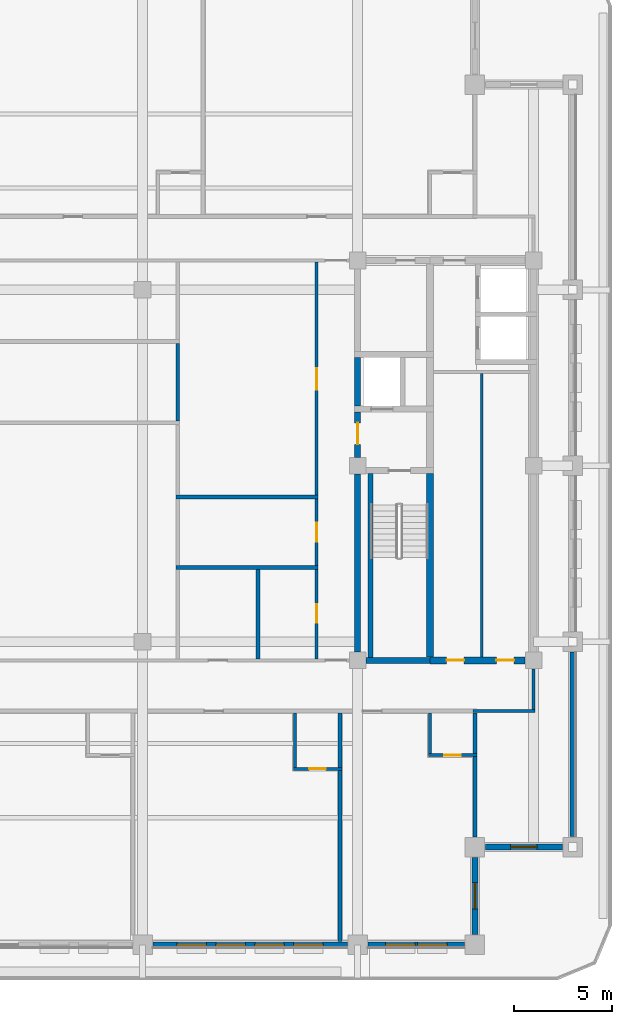
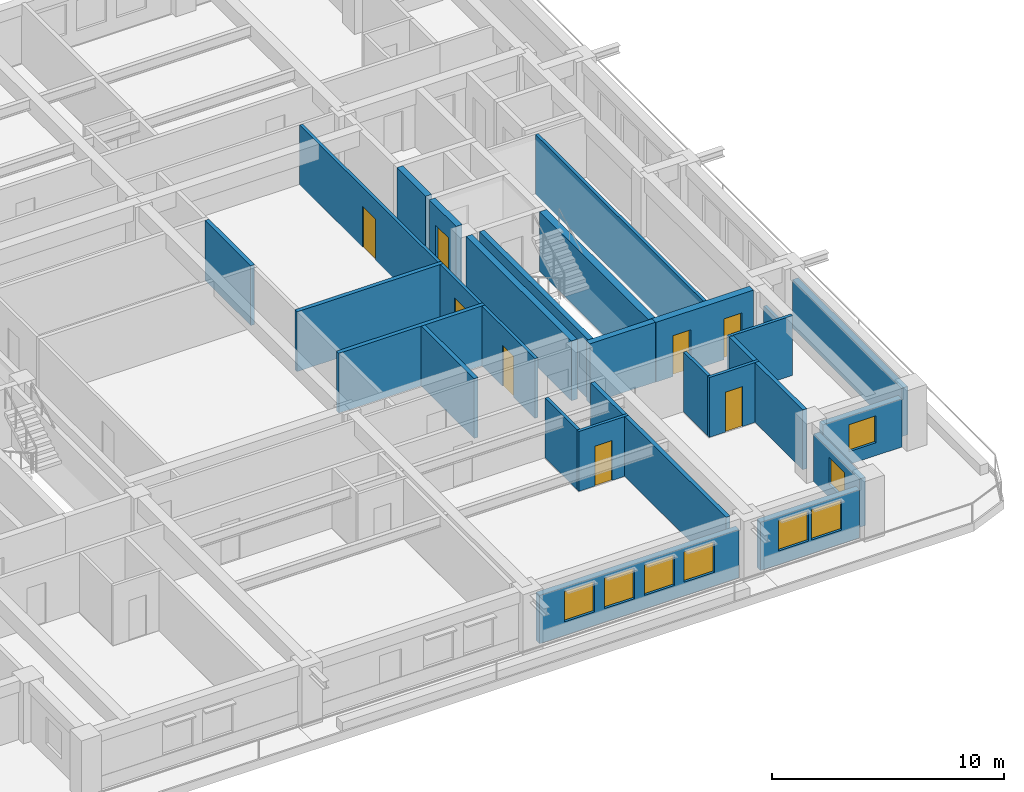
# One storey, part 4 of 14: 30 walls, 8 doors, 8 windows, 16 openings.
"""IFC4 building model written with IfcOpenShell, lengths in metres."""

from ifc_helpers import new_model, si_unit, direction, frame, frame_2d, origin, place, context, subcontext, project, spatial, rectangle, extrude, material, layer, layer_set, type_object, element, fill, save


model = new_model("IFC4")

# Units and contexts
model_context = context("Model", 3, precision=1e-05, world=origin(), true_north=direction((0.0, 1.0)))
body_context = subcontext(model_context, "Body", "Model", "MODEL_VIEW")
ifc_project = project(units=[si_unit("LENGTHUNIT", "METRE"), si_unit("AREAUNIT", "SQUARE_METRE"), si_unit("VOLUMEUNIT", "CUBIC_METRE"), si_unit("PLANEANGLEUNIT", "RADIAN"), si_unit("MASSUNIT", "GRAM", prefix="KILO")], contexts=[model_context])

# Site, building, storey
site_placement = place(None, origin())
site = spatial("IfcSite", under=ifc_project, at=site_placement, CompositionType="ELEMENT")
building_placement = place(site_placement, origin())
building = spatial("IfcBuilding", under=site, at=building_placement, Name="Zulmaris Gate Convention Tower", CompositionType="ELEMENT")
storey_placement = place(building_placement, frame((0.0, 0.0, 198.260009765625)))
storey = spatial("IfcBuildingStorey", under=building, at=storey_placement, Name="L51", CompositionType="ELEMENT", Elevation=198.260009765625)

# Walls
ifc_material_1 = material(Name="Concrete C50/60", Category="concrete")
ifc_layer_1 = layer(ifc_material_1, 0.25, Name="Concrete C50/60")
ifc_layer_set_1 = layer_set([ifc_layer_1], Name="Concrete C50/60")
wall_type_1 = type_object("IfcWallType", Name="CORE-250", PredefinedType="SOLIDWALL", material=ifc_layer_set_1)
wall_1_placement = place(storey_placement, frame((11.64990234375, -9.798095703125, 0.0), z_axis=(0.0, 0.0, 1.0), x_axis=(0.0, 1.0, 0.0)))
element("IfcWall", 1, at=wall_1_placement, inside=storey, type_object=wall_type_1, Name="WL-L51-062", PredefinedType="SOLIDWALL", context=body_context, shape_type="SweptSolid", body=[
    extrude(rectangle(XDim=9.39599609375, YDim=0.25, at=frame_2d((4.697998046875, 0.0))), origin(), (0.0, 0.0, 1.0), 3.14990234375),
])
ifc_layer_2 = layer(ifc_material_1, 0.300048828125, Name="Concrete C50/60")
ifc_layer_set_2 = layer_set([ifc_layer_2], Name="Concrete C50/60")
wall_type_2 = type_object("IfcWallType", Name="CORE-300", PredefinedType="SHEAR", material=ifc_layer_set_2)
wall_2_placement = place(storey_placement, frame((11.428955078125, -9.949951171875, 0.0), z_axis=(0.0, 0.0, 1.0), x_axis=(1.0, 0.0, 0.0)))
element("IfcWall", 2, at=wall_2_placement, inside=storey, type_object=wall_type_2, Name="WL-L51-003", PredefinedType="SHEAR", context=body_context, shape_type="SweptSolid", body=[
    extrude(rectangle(XDim=3.27099609375, YDim=0.300048828125, at=frame_2d((1.635498046875, 0.0))), origin(), (0.0, 0.0, 1.0), 3.14990234375),
])
wall_3_placement = place(storey_placement, frame((11.0, -9.52099609375, 0.0), z_axis=(0.0, 0.0, 1.0), x_axis=(0.0, 1.0, 0.0)))
element("IfcWall", 3, at=wall_3_placement, inside=storey, type_object=wall_type_2, Name="WL-L51-058", PredefinedType="SHEAR", context=body_context, shape_type="SweptSolid", body=[
    extrude(rectangle(XDim=9.092041015625, YDim=0.300048828125, at=frame_2d((4.5458984375, 0.0))), origin(), (0.0, 0.0, 1.0), 3.14990234375),
])

# Wall, opening, door
wall_4_placement = place(storey_placement, frame((11.0, 0.428955078125, 0.0), z_axis=(0.0, 0.0, 1.0), x_axis=(0.0, 1.0, 0.0)))
wall_4 = element("IfcWall", 4, at=wall_4_placement, inside=storey, type_object=wall_type_2, Name="WL-L51-059", PredefinedType="SHEAR", context=body_context, shape_type="SweptSolid", body=[
    extrude(rectangle(XDim=2.319091796875, YDim=0.300048828125, at=frame_2d((1.15966796875, 0.0))), origin(), (0.0, 0.0, 1.0), 3.14990234375),
])
opening_1_placement = place(wall_4_placement, frame((0.6708984375, 0.0, 0.0)))
opening_1 = element("IfcOpeningElement", 5, at=opening_1_placement, cuts=wall_4, Name="Opening D-08", PredefinedType="OPENING", context=body_context, shape_type="SweptSolid", body=[
    extrude(rectangle(XDim=1.10009765625, YDim=2.14990234375, at=frame_2d((0.550048828125, 1.074951171875))), frame((0.0, 0.16015625, 0.0), z_axis=(0.0, -1.0, 0.0), x_axis=(1.0, 0.0, 0.0)), (0.0, 0.0, 1.0), 0.320068359375),
])
ifc_material_2 = material(Name="Fire-Rated Steel", Category="steel")
door_type_1 = type_object("IfcDoorType", Name="DR-1100-FD", OperationType="NOTDEFINED", PredefinedType="DOOR", material=ifc_material_2)
door_1_placement = place(opening_1_placement, origin())
door_1 = element("IfcDoor", 6, at=door_1_placement, inside=storey, type_object=door_type_1, Name="L51 East Firefighting Lobby Door 05", OperationType="SINGLE_SWING_LEFT", OverallHeight=2.14990234375, OverallWidth=1.10009765625, PredefinedType="DOOR", context=body_context, shape_type="SweptSolid", body=[
    extrude(rectangle(XDim=1.10009765625, YDim=2.14990234375, at=frame_2d((0.550048828125, 1.074951171875))), frame((0.0, 0.02490234375, 0.0), z_axis=(0.0, -1.0, 0.0), x_axis=(1.0, 0.0, 0.0)), (0.0, 0.0, 1.0), 0.050048828125),
])
fill(opening_1, door_1)

# Wall
wall_5_placement = place(storey_placement, frame((11.0, 3.052001953125, 0.0), z_axis=(0.0, 0.0, 1.0), x_axis=(0.0, 1.0, 0.0)))
element("IfcWall", 7, at=wall_5_placement, inside=storey, type_object=wall_type_2, Name="WL-L51-060", PredefinedType="SHEAR", context=body_context, shape_type="SweptSolid", body=[
    extrude(rectangle(XDim=2.49609375, YDim=0.300048828125, at=frame_2d((1.248046875, 0.0))), origin(), (0.0, 0.0, 1.0), 3.14990234375),
])

# Wall, openings, doors
ifc_material_3 = material(Name="Concrete C55/67", Category="concrete")
ifc_layer_3 = layer(ifc_material_3, 0.35009765625, Name="Concrete C55/67")
ifc_layer_set_3 = layer_set([ifc_layer_3], Name="Concrete C55/67")
wall_type_3 = type_object("IfcWallType", Name="CORE-350", PredefinedType="SHEAR", material=ifc_layer_set_3)
wall_6_placement = place(storey_placement, frame((14.699951171875, -9.949951171875, 0.0), z_axis=(0.0, 0.0, 1.0), x_axis=(1.0, 0.0, 0.0)))
wall_6 = element("IfcWall", 8, at=wall_6_placement, inside=storey, type_object=wall_type_3, Name="WL-L51-004", PredefinedType="SHEAR", context=body_context, shape_type="SweptSolid", body=[
    extrude(rectangle(XDim=4.87109375, YDim=0.35009765625, at=frame_2d((2.435546875, 0.0))), origin(), (0.0, 0.0, 1.0), 3.14990234375),
])
opening_2_placement = place(wall_6_placement, frame((0.85009765625, 0.0, 0.0)))
opening_2 = element("IfcOpeningElement", 9, at=opening_2_placement, cuts=wall_6, Name="Opening D-12", PredefinedType="OPENING", context=body_context, shape_type="SweptSolid", body=[
    extrude(rectangle(XDim=0.89990234375, YDim=2.14990234375, at=frame_2d((0.449951171875, 1.074951171875))), frame((0.0, 0.18505859375, 0.0), z_axis=(0.0, -1.0, 0.0), x_axis=(1.0, 0.0, 0.0)), (0.0, 0.0, 1.0), 0.3701171875),
])
opening_3_placement = place(wall_6_placement, frame((3.39990234375, 0.0, 0.0)))
opening_3 = element("IfcOpeningElement", 10, at=opening_3_placement, cuts=wall_6, Name="Opening D-12", PredefinedType="OPENING", context=body_context, shape_type="SweptSolid", body=[
    extrude(rectangle(XDim=0.89990234375, YDim=2.14990234375, at=frame_2d((0.449951171875, 1.074951171875))), frame((0.0, 0.18505859375, 0.0), z_axis=(0.0, -1.0, 0.0), x_axis=(1.0, 0.0, 0.0)), (0.0, 0.0, 1.0), 0.3701171875),
])
ifc_material_4 = material(Name="Fire-Rated Timber", Category="wood")
door_type_2 = type_object("IfcDoorType", Name="DR-900-FD", OperationType="NOTDEFINED", PredefinedType="DOOR", material=ifc_material_4)
door_2_placement = place(opening_2_placement, origin())
door_2 = element("IfcDoor", 11, at=door_2_placement, inside=storey, type_object=door_type_2, Name="L51 Service Pantry Door 19", OperationType="SINGLE_SWING_RIGHT", OverallHeight=2.14990234375, OverallWidth=0.89990234375, PredefinedType="DOOR", context=body_context, shape_type="SweptSolid", body=[
    extrude(rectangle(XDim=0.89990234375, YDim=2.14990234375, at=frame_2d((0.449951171875, 1.074951171875))), frame((0.0, 0.02490234375, 0.0), z_axis=(0.0, -1.0, 0.0), x_axis=(1.0, 0.0, 0.0)), (0.0, 0.0, 1.0), 0.050048828125),
])
fill(opening_2, door_2)
door_3_placement = place(opening_3_placement, origin())
door_3 = element("IfcDoor", 12, at=door_3_placement, inside=storey, type_object=door_type_2, Name="L51 Linen Store Door 20", OperationType="SINGLE_SWING_LEFT", OverallHeight=2.14990234375, OverallWidth=0.89990234375, PredefinedType="DOOR", context=body_context, shape_type="SweptSolid", body=[
    extrude(rectangle(XDim=0.89990234375, YDim=2.14990234375, at=frame_2d((0.449951171875, 1.074951171875))), frame((0.0, 0.02490234375, 0.0), z_axis=(0.0, -1.0, 0.0), x_axis=(1.0, 0.0, 0.0)), (0.0, 0.0, 1.0), 0.050048828125),
])
fill(opening_3, door_3)

# Wall
wall_7_placement = place(storey_placement, frame((14.699951171875, -9.77294921875, 0.0), z_axis=(0.0, 0.0, 1.0), x_axis=(0.0, 1.0, 0.0)))
element("IfcWall", 13, at=wall_7_placement, inside=storey, type_object=wall_type_3, Name="WL-L51-064", PredefinedType="SHEAR", context=body_context, shape_type="SweptSolid", body=[
    extrude(rectangle(XDim=9.370849609375, YDim=0.35009765625, at=frame_2d((4.685546875, 0.0))), origin(), (0.0, 0.0, 1.0), 3.14990234375),
])

# Wall, opening, door
ifc_material_5 = material(Name="Gypsum Metal Stud Partition")
ifc_layer_4 = layer(ifc_material_5, 0.14990234375, Name="Gypsum Metal Stud Partition")
ifc_layer_set_4 = layer_set([ifc_layer_4], Name="Gypsum Metal Stud Partition")
wall_type_4 = type_object("IfcWallType", Name="PART-150", PredefinedType="PARTITIONING", material=ifc_layer_set_4)
wall_8_placement = place(storey_placement, frame((7.72509765625, -15.5, 0.0), z_axis=(0.0, 0.0, 1.0), x_axis=(1.0, 0.0, 0.0)))
wall_8 = element("IfcWall", 14, at=wall_8_placement, inside=storey, type_object=wall_type_4, Name="WL-L51-020", PredefinedType="PARTITIONING", context=body_context, shape_type="SweptSolid", body=[
    extrude(rectangle(XDim=2.474853515625, YDim=0.14990234375, at=frame_2d((1.2373046875, 0.0))), origin(), (0.0, 0.0, 1.0), 3.14990234375),
])
opening_4_placement = place(wall_8_placement, frame((0.800048828125, 0.0, 0.0)))
opening_4 = element("IfcOpeningElement", 15, at=opening_4_placement, cuts=wall_8, Name="Opening D-17", PredefinedType="OPENING", context=body_context, shape_type="SweptSolid", body=[
    extrude(rectangle(XDim=0.85009765625, YDim=2.10009765625, at=frame_2d((0.425048828125, 1.050048828125))), frame((0.0, 0.0849609375, 0.0), z_axis=(0.0, -1.0, 0.0), x_axis=(1.0, 0.0, 0.0)), (0.0, 0.0, 1.0), 0.169921875),
])
ifc_material_6 = material(Name="Moisture-Resistant Hardwood Timber", Category="wood")
door_type_3 = type_object("IfcDoorType", Name="DR-850", OperationType="NOTDEFINED", PredefinedType="DOOR", material=ifc_material_6)
door_4_placement = place(opening_4_placement, origin())
door_4 = element("IfcDoor", 16, at=door_4_placement, inside=storey, type_object=door_type_3, Name="L51 En-Suite Door 36", OperationType="SINGLE_SWING_LEFT", OverallHeight=2.10009765625, OverallWidth=0.85009765625, PredefinedType="DOOR", context=body_context, shape_type="SweptSolid", body=[
    extrude(rectangle(XDim=0.85009765625, YDim=2.10009765625, at=frame_2d((0.425048828125, 1.050048828125))), frame((0.0, 0.02490234375, 0.0), z_axis=(0.0, -1.0, 0.0), x_axis=(1.0, 0.0, 0.0)), (0.0, 0.0, 1.0), 0.050048828125),
])
fill(opening_4, door_4)

wall_9_placement = place(storey_placement, frame((14.625, -14.800048828125, 0.0), z_axis=(0.0, 0.0, 1.0), x_axis=(1.0, 0.0, 0.0)))
wall_9 = element("IfcWall", 17, at=wall_9_placement, inside=storey, type_object=wall_type_4, Name="WL-L51-022", PredefinedType="PARTITIONING", context=body_context, shape_type="SweptSolid", body=[
    extrude(rectangle(XDim=2.47509765625, YDim=0.14990234375, at=frame_2d((1.237548828125, 0.0))), origin(), (0.0, 0.0, 1.0), 3.14990234375),
])
opening_5_placement = place(wall_9_placement, frame((0.800048828125, 0.0, 0.0)))
opening_5 = element("IfcOpeningElement", 18, at=opening_5_placement, cuts=wall_9, Name="Opening D-17", PredefinedType="OPENING", context=body_context, shape_type="SweptSolid", body=[
    extrude(rectangle(XDim=0.85009765625, YDim=2.10009765625, at=frame_2d((0.425048828125, 1.050048828125))), frame((0.0, 0.0849609375, 0.0), z_axis=(0.0, -1.0, 0.0), x_axis=(1.0, 0.0, 0.0)), (0.0, 0.0, 1.0), 0.169921875),
])
door_5_placement = place(opening_5_placement, origin())
door_5 = element("IfcDoor", 19, at=door_5_placement, inside=storey, type_object=door_type_3, Name="L51 En-Suite Door 38", OperationType="SINGLE_SWING_LEFT", OverallHeight=2.10009765625, OverallWidth=0.85009765625, PredefinedType="DOOR", context=body_context, shape_type="SweptSolid", body=[
    extrude(rectangle(XDim=0.85009765625, YDim=2.10009765625, at=frame_2d((0.425048828125, 1.050048828125))), frame((0.0, 0.02490234375, 0.0), z_axis=(0.0, -1.0, 0.0), x_axis=(1.0, 0.0, 0.0)), (0.0, 0.0, 1.0), 0.050048828125),
])
fill(opening_5, door_5)

# Walls
wall_10_placement = place(storey_placement, frame((16.89990234375, -12.550048828125, 0.0), z_axis=(0.0, 0.0, 1.0), x_axis=(1.0, 0.0, 0.0)))
element("IfcWall", 20, at=wall_10_placement, inside=storey, type_object=wall_type_4, Name="WL-L51-024", PredefinedType="PARTITIONING", context=body_context, shape_type="SweptSolid", body=[
    extrude(rectangle(XDim=3.175048828125, YDim=0.14990234375, at=frame_2d((1.58740234375, 0.0))), origin(), (0.0, 0.0, 1.0), 3.14990234375),
])
wall_11_placement = place(storey_placement, frame((7.800048828125, -15.422119140625, 0.0), z_axis=(0.0, 0.0, 1.0), x_axis=(0.0, 1.0, 0.0)))
element("IfcWall", 21, at=wall_11_placement, inside=storey, type_object=wall_type_4, Name="WL-L51-101", PredefinedType="PARTITIONING", context=body_context, shape_type="SweptSolid", body=[
    extrude(rectangle(XDim=2.76904296875, YDim=0.14990234375, at=frame_2d((1.384521484375, 0.0))), origin(), (0.0, 0.0, 1.0), 3.14990234375),
])

# Wall, opening, door
wall_12_placement = place(storey_placement, frame((8.89990234375, -9.8720703125, 0.0), z_axis=(0.0, 0.0, 1.0), x_axis=(0.0, 1.0, 0.0)))
wall_12 = element("IfcWall", 22, at=wall_12_placement, inside=storey, type_object=wall_type_4, Name="WL-L51-102", PredefinedType="PARTITIONING", context=body_context, shape_type="SweptSolid", body=[
    extrude(rectangle(XDim=4.569091796875, YDim=0.14990234375, at=frame_2d((2.28466796875, 0.0))), origin(), (0.0, 0.0, 1.0), 3.14990234375),
])
opening_6_placement = place(wall_12_placement, frame((1.846923828125, 0.0, 0.0)))
opening_6 = element("IfcOpeningElement", 23, at=opening_6_placement, cuts=wall_12, Name="Opening D-11", PredefinedType="OPENING", context=body_context, shape_type="SweptSolid", body=[
    extrude(rectangle(XDim=0.949951171875, YDim=2.14990234375, at=frame_2d((0.47509765625, 1.074951171875))), frame((0.0, 0.0849609375, 0.0), z_axis=(0.0, -1.0, 0.0), x_axis=(1.0, 0.0, 0.0)), (0.0, 0.0, 1.0), 0.169921875),
])
door_type_4 = type_object("IfcDoorType", Name="DR-950-FD", OperationType="NOTDEFINED", PredefinedType="DOOR", material=ifc_material_4)
door_6_placement = place(opening_6_placement, origin())
door_6 = element("IfcDoor", 24, at=door_6_placement, inside=storey, type_object=door_type_4, Name="L51 Accessible WC Door 44", OperationType="SINGLE_SWING_LEFT", OverallHeight=2.14990234375, OverallWidth=0.949951171875, PredefinedType="DOOR", context=body_context, shape_type="SweptSolid", body=[
    extrude(rectangle(XDim=0.949951171875, YDim=2.14990234375, at=frame_2d((0.47509765625, 1.074951171875))), frame((0.0, 0.02490234375, 0.0), z_axis=(0.0, -1.0, 0.0), x_axis=(1.0, 0.0, 0.0)), (0.0, 0.0, 1.0), 0.050048828125),
])
fill(opening_6, door_6)

wall_13_placement = place(storey_placement, frame((8.89990234375, -5.096923828125, 0.0), z_axis=(0.0, 0.0, 1.0), x_axis=(0.0, 1.0, 0.0)))
wall_13 = element("IfcWall", 25, at=wall_13_placement, inside=storey, type_object=wall_type_4, Name="WL-L51-103", PredefinedType="PARTITIONING", context=body_context, shape_type="SweptSolid", body=[
    extrude(rectangle(XDim=3.39404296875, YDim=0.14990234375, at=frame_2d((1.697021484375, 0.0))), origin(), (0.0, 0.0, 1.0), 3.14990234375),
])
opening_7_placement = place(wall_13_placement, frame((1.221923828125, 0.0, 0.0)))
opening_7 = element("IfcOpeningElement", 26, at=opening_7_placement, cuts=wall_13, Name="Opening D-11", PredefinedType="OPENING", context=body_context, shape_type="SweptSolid", body=[
    extrude(rectangle(XDim=0.949951171875, YDim=2.14990234375, at=frame_2d((0.47509765625, 1.074951171875))), frame((0.0, 0.0849609375, 0.0), z_axis=(0.0, -1.0, 0.0), x_axis=(1.0, 0.0, 0.0)), (0.0, 0.0, 1.0), 0.169921875),
])
door_7_placement = place(opening_7_placement, origin())
door_7 = element("IfcDoor", 27, at=door_7_placement, inside=storey, type_object=door_type_4, Name="L51 Public WC Door 43", OperationType="SINGLE_SWING_RIGHT", OverallHeight=2.14990234375, OverallWidth=0.949951171875, PredefinedType="DOOR", context=body_context, shape_type="SweptSolid", body=[
    extrude(rectangle(XDim=0.949951171875, YDim=2.14990234375, at=frame_2d((0.47509765625, 1.074951171875))), frame((0.0, 0.02490234375, 0.0), z_axis=(0.0, -1.0, 0.0), x_axis=(1.0, 0.0, 0.0)), (0.0, 0.0, 1.0), 0.050048828125),
])
fill(opening_7, door_7)

wall_14_placement = place(storey_placement, frame((8.89990234375, -1.4970703125, 0.0), z_axis=(0.0, 0.0, 1.0), x_axis=(0.0, 1.0, 0.0)))
wall_14 = element("IfcWall", 28, at=wall_14_placement, inside=storey, type_object=wall_type_4, Name="WL-L51-104", PredefinedType="PARTITIONING", context=body_context, shape_type="SweptSolid", body=[
    extrude(rectangle(XDim=11.919189453125, YDim=0.14990234375, at=frame_2d((5.95947265625, 0.0))), origin(), (0.0, 0.0, 1.0), 3.14990234375),
])
opening_8_placement = place(wall_14_placement, frame((5.39697265625, 0.0, 0.0)))
opening_8 = element("IfcOpeningElement", 29, at=opening_8_placement, cuts=wall_14, Name="Opening D-08", PredefinedType="OPENING", context=body_context, shape_type="SweptSolid", body=[
    extrude(rectangle(XDim=1.10009765625, YDim=2.14990234375, at=frame_2d((0.550048828125, 1.074951171875))), frame((0.0, 0.0849609375, 0.0), z_axis=(0.0, -1.0, 0.0), x_axis=(1.0, 0.0, 0.0)), (0.0, 0.0, 1.0), 0.169921875),
])
door_8_placement = place(opening_8_placement, origin())
door_8 = element("IfcDoor", 30, at=door_8_placement, inside=storey, type_object=door_type_1, Name="L51 Breakout Room Door 42", OperationType="SINGLE_SWING_LEFT", OverallHeight=2.14990234375, OverallWidth=1.10009765625, PredefinedType="DOOR", context=body_context, shape_type="SweptSolid", body=[
    extrude(rectangle(XDim=1.10009765625, YDim=2.14990234375, at=frame_2d((0.550048828125, 1.074951171875))), frame((0.0, 0.02490234375, 0.0), z_axis=(0.0, -1.0, 0.0), x_axis=(1.0, 0.0, 0.0)), (0.0, 0.0, 1.0), 0.050048828125),
])
fill(opening_8, door_8)

# Walls
wall_15_placement = place(storey_placement, frame((14.699951171875, -14.721923828125, 0.0), z_axis=(0.0, 0.0, 1.0), x_axis=(0.0, 1.0, 0.0)))
element("IfcWall", 31, at=wall_15_placement, inside=storey, type_object=wall_type_4, Name="WL-L51-107", PredefinedType="PARTITIONING", context=body_context, shape_type="SweptSolid", body=[
    extrude(rectangle(XDim=2.06884765625, YDim=0.14990234375, at=frame_2d((1.034423828125, 0.0))), origin(), (0.0, 0.0, 1.0), 3.14990234375),
])
wall_16_placement = place(storey_placement, frame((17.35009765625, -9.77197265625, 0.0), z_axis=(0.0, 0.0, 1.0), x_axis=(0.0, 1.0, 0.0)))
element("IfcWall", 32, at=wall_16_placement, inside=storey, type_object=wall_type_4, Name="WL-L51-113", PredefinedType="PARTITIONING", context=body_context, shape_type="SweptSolid", body=[
    extrude(rectangle(XDim=14.493896484375, YDim=0.14990234375, at=frame_2d((7.2470703125, 0.0))), origin(), (0.0, 0.0, 1.0), 3.14990234375),
])
wall_17_placement = place(storey_placement, frame((20.0, -12.471923828125, 0.0), z_axis=(0.0, 0.0, 1.0), x_axis=(0.0, 1.0, 0.0)))
element("IfcWall", 33, at=wall_17_placement, inside=storey, type_object=wall_type_4, Name="WL-L51-114", PredefinedType="PARTITIONING", context=body_context, shape_type="SweptSolid", body=[
    extrude(rectangle(XDim=2.0908203125, YDim=0.14990234375, at=frame_2d((1.04541015625, 0.0))), origin(), (0.0, 0.0, 1.0), 2.341796875),
])
ifc_material_7 = material(Name="Autoclaved Aerated Concrete Block and Plasterboard", Category="concrete")
ifc_layer_5 = layer(ifc_material_7, 0.199951171875, Name="Autoclaved Aerated Concrete Block and Plasterboard")
ifc_layer_set_5 = layer_set([ifc_layer_5], Name="Autoclaved Aerated Concrete Block and Plasterboard")
wall_type_5 = type_object("IfcWallType", Name="PART-200", PredefinedType="PARTITIONING", material=ifc_layer_set_5)
for number, where, z_axis, x_axis, name in (
    (34, (1.699951171875, -5.199951171875, 0.0), (0.0, 0.0, 1.0), (1.0, 0.0, 0.0), "WL-L51-027"),
    (35, (1.699951171875, -1.60009765625, 0.0), (0.0, 0.0, 1.0), (1.0, 0.0, 0.0), "WL-L51-028"),
):
    element("IfcWall", number, at=place(storey_placement, frame(where, z_axis=z_axis, x_axis=x_axis)), inside=storey, type_object=wall_type_5, Name=name, PredefinedType="PARTITIONING", context=body_context, shape_type="SweptSolid", body=[
        extrude(rectangle(XDim=7.275146484375, YDim=0.199951171875, at=frame_2d((3.6376953125, 0.0))), origin(), (0.0, 0.0, 1.0), 3.14990234375),
    ])
wall_18_placement = place(storey_placement, frame((1.800048828125, 2.302978515625, 0.0), z_axis=(0.0, 0.0, 1.0), x_axis=(0.0, 1.0, 0.0)))
element("IfcWall", 36, at=wall_18_placement, inside=storey, type_object=wall_type_5, Name="WL-L51-096", PredefinedType="PARTITIONING", context=body_context, shape_type="SweptSolid", body=[
    extrude(rectangle(XDim=3.944091796875, YDim=0.199951171875, at=frame_2d((1.97216796875, 0.0))), origin(), (0.0, 0.0, 1.0), 3.14990234375),
])
wall_19_placement = place(storey_placement, frame((5.89990234375, -9.8720703125, 0.0), z_axis=(0.0, 0.0, 1.0), x_axis=(0.0, 1.0, 0.0)))
element("IfcWall", 37, at=wall_19_placement, inside=storey, type_object=wall_type_5, Name="WL-L51-100", PredefinedType="PARTITIONING", context=body_context, shape_type="SweptSolid", body=[
    extrude(rectangle(XDim=4.569091796875, YDim=0.199951171875, at=frame_2d((2.28466796875, 0.0))), origin(), (0.0, 0.0, 1.0), 3.14990234375),
])
wall_20_placement = place(storey_placement, frame((10.10009765625, -24.3349609375, 0.0), z_axis=(0.0, 0.0, 1.0), x_axis=(0.0, 1.0, 0.0)))
element("IfcWall", 38, at=wall_20_placement, inside=storey, type_object=wall_type_5, Name="WL-L51-105", PredefinedType="PARTITIONING", context=body_context, shape_type="SweptSolid", body=[
    extrude(rectangle(XDim=8.757080078125, YDim=0.199951171875, at=frame_2d((4.37841796875, 0.0))), origin(), (0.0, 0.0, 1.0), 3.14990234375),
])
wall_21_placement = place(storey_placement, frame((10.10009765625, -15.422119140625, 0.0), z_axis=(0.0, 0.0, 1.0), x_axis=(0.0, 1.0, 0.0)))
element("IfcWall", 39, at=wall_21_placement, inside=storey, type_object=wall_type_5, Name="WL-L51-106", PredefinedType="PARTITIONING", context=body_context, shape_type="SweptSolid", body=[
    extrude(rectangle(XDim=2.76904296875, YDim=0.199951171875, at=frame_2d((1.384521484375, 0.0))), origin(), (0.0, 0.0, 1.0), 3.14990234375),
])
wall_22_placement = place(storey_placement, frame((17.0, -18.993896484375, 0.0), z_axis=(0.0, 0.0, 1.0), x_axis=(0.0, 1.0, 0.0)))
element("IfcWall", 40, at=wall_22_placement, inside=storey, type_object=wall_type_5, Name="WL-L51-109", PredefinedType="PARTITIONING", context=body_context, shape_type="SweptSolid", body=[
    extrude(rectangle(XDim=4.115966796875, YDim=0.199951171875, at=frame_2d((2.05810546875, 0.0))), origin(), (0.0, 0.0, 1.0), 3.14990234375),
])
wall_23_placement = place(storey_placement, frame((17.0, -14.721923828125, 0.0), z_axis=(0.0, 0.0, 1.0), x_axis=(0.0, 1.0, 0.0)))
element("IfcWall", 41, at=wall_23_placement, inside=storey, type_object=wall_type_5, Name="WL-L51-110", PredefinedType="PARTITIONING", context=body_context, shape_type="SweptSolid", body=[
    extrude(rectangle(XDim=2.06884765625, YDim=0.199951171875, at=frame_2d((1.034423828125, 0.0))), origin(), (0.0, 0.0, 1.0), 3.14990234375),
])

# Wall, opening, window
ifc_material_8 = material(Name="Precast concrete C40/50", Category="concrete")
ifc_layer_6 = layer(ifc_material_8, 0.300048828125, Name="Precast concrete C40/50")
ifc_layer_set_6 = layer_set([ifc_layer_6], Name="Precast concrete C40/50")
wall_type_6 = type_object("IfcWallType", Name="PRECAST-PIER-300", PredefinedType="STANDARD", material=ifc_layer_set_6)
wall_24_placement = place(storey_placement, frame((17.0, -23.969970703125, 0.0), z_axis=(0.0, 0.0, 1.0), x_axis=(0.0, 1.0, 0.0)))
wall_24 = element("IfcWall", 42, at=wall_24_placement, inside=storey, type_object=wall_type_6, Name="EW-L51-NOTCH-SE1_0", PredefinedType="STANDARD", context=body_context, shape_type="SweptSolid", body=[
    extrude(rectangle(XDim=3.93994140625, YDim=0.300048828125, at=frame_2d((1.969970703125, 0.0))), origin(), (0.0, 0.0, 1.0), 2.5419921875),
])
opening_9_placement = place(wall_24_placement, frame((1.294921875, 0.0, 0.679931640625)))
opening_9 = element("IfcOpeningElement", 43, at=opening_9_placement, cuts=wall_24, Name="Opening W-10", PredefinedType="OPENING", context=body_context, shape_type="SweptSolid", body=[
    extrude(rectangle(XDim=1.35009765625, YDim=1.419921875, at=frame_2d((0.675048828125, 0.7099609375))), frame((0.0, 0.16015625, 0.0), z_axis=(0.0, -1.0, 0.0), x_axis=(1.0, 0.0, 0.0)), (0.0, 0.0, 1.0), 0.320068359375),
])
ifc_material_9 = material(Name="Low-E Laminated Double Glazing in Aluminium Frame", Category="aluminium")
window_type_1 = type_object("IfcWindowType", Name="WIN-1350x2000", PartitioningType="SINGLE_PANEL", PredefinedType="WINDOW", material=ifc_material_9)
window_1_placement = place(opening_9_placement, origin())
window_1 = element("IfcWindow", 44, at=window_1_placement, inside=storey, type_object=window_type_1, Name="WN-EW-L51-NOTCH-SE1_0", OverallHeight=1.419921875, OverallWidth=1.35009765625, PartitioningType="SINGLE_PANEL", PredefinedType="WINDOW", context=body_context, shape_type="SweptSolid", body=[
    extrude(rectangle(XDim=1.35009765625, YDim=1.419921875, at=frame_2d((0.675048828125, 0.7099609375))), frame((0.0, 0.030029296875, 0.0), z_axis=(0.0, -1.0, 0.0), x_axis=(1.0, 0.0, 0.0)), (0.0, 0.0, 1.0), 0.06005859375),
])
fill(opening_9, window_1)

wall_25_placement = place(storey_placement, frame((17.530029296875, -19.5, 0.0), z_axis=(0.0, 0.0, 1.0), x_axis=(1.0, 0.0, 0.0)))
wall_25 = element("IfcWall", 45, at=wall_25_placement, inside=storey, type_object=wall_type_6, Name="EW-L51-NOTCH-SE2_0", PredefinedType="STANDARD", context=body_context, shape_type="SweptSolid", body=[
    extrude(rectangle(XDim=3.93994140625, YDim=0.300048828125, at=frame_2d((1.969970703125, 0.0))), origin(), (0.0, 0.0, 1.0), 2.5419921875),
])
opening_10_placement = place(wall_25_placement, frame((1.294921875, 0.0, 0.679931640625)))
opening_10 = element("IfcOpeningElement", 46, at=opening_10_placement, cuts=wall_25, Name="Opening W-10", PredefinedType="OPENING", context=body_context, shape_type="SweptSolid", body=[
    extrude(rectangle(XDim=1.35009765625, YDim=1.419921875, at=frame_2d((0.675048828125, 0.7099609375))), frame((0.0, 0.16015625, 0.0), z_axis=(0.0, -1.0, 0.0), x_axis=(1.0, 0.0, 0.0)), (0.0, 0.0, 1.0), 0.320068359375),
])
window_2_placement = place(opening_10_placement, origin())
window_2 = element("IfcWindow", 47, at=window_2_placement, inside=storey, type_object=window_type_1, Name="WN-EW-L51-NOTCH-SE2_0", OverallHeight=1.419921875, OverallWidth=1.35009765625, PartitioningType="SINGLE_PANEL", PredefinedType="WINDOW", context=body_context, shape_type="SweptSolid", body=[
    extrude(rectangle(XDim=1.35009765625, YDim=1.419921875, at=frame_2d((0.675048828125, 0.7099609375))), frame((0.0, 0.030029296875, 0.0), z_axis=(0.0, -1.0, 0.0), x_axis=(1.0, 0.0, 0.0)), (0.0, 0.0, 1.0), 0.06005859375),
])
fill(opening_10, window_2)

# Wall, openings, windows
wall_26_placement = place(storey_placement, frame((0.530029296875, -24.5, 0.0), z_axis=(0.0, 0.0, 1.0), x_axis=(1.0, 0.0, 0.0)))
wall_26 = element("IfcWall", 48, at=wall_26_placement, inside=storey, type_object=wall_type_6, Name="EW-L51-S-2_0", PredefinedType="STANDARD", context=body_context, shape_type="SweptSolid", body=[
    extrude(rectangle(XDim=9.93994140625, YDim=0.300048828125, at=frame_2d((4.969970703125, 0.0))), origin(), (0.0, 0.0, 1.0), 2.5419921875),
])
opening_11_placement = place(wall_26_placement, frame((1.238037109375, 0.0, 0.719970703125)))
opening_11 = element("IfcOpeningElement", 49, at=opening_11_placement, cuts=wall_26, Name="Opening W-03", PredefinedType="OPENING", context=body_context, shape_type="SweptSolid", body=[
    extrude(rectangle(XDim=1.5, YDim=1.60009765625, at=frame_2d((0.75, 0.800048828125))), frame((0.0, 0.16015625, 0.0), z_axis=(0.0, -1.0, 0.0), x_axis=(1.0, 0.0, 0.0)), (0.0, 0.0, 1.0), 0.320068359375),
])
opening_12_placement = place(wall_26_placement, frame((3.22607421875, 0.0, 0.719970703125)))
opening_12 = element("IfcOpeningElement", 50, at=opening_12_placement, cuts=wall_26, Name="Opening W-03", PredefinedType="OPENING", context=body_context, shape_type="SweptSolid", body=[
    extrude(rectangle(XDim=1.5, YDim=1.60009765625, at=frame_2d((0.75, 0.800048828125))), frame((0.0, 0.16015625, 0.0), z_axis=(0.0, -1.0, 0.0), x_axis=(1.0, 0.0, 0.0)), (0.0, 0.0, 1.0), 0.320068359375),
])
opening_13_placement = place(wall_26_placement, frame((5.214111328125, 0.0, 0.719970703125)))
opening_13 = element("IfcOpeningElement", 51, at=opening_13_placement, cuts=wall_26, Name="Opening W-03", PredefinedType="OPENING", context=body_context, shape_type="SweptSolid", body=[
    extrude(rectangle(XDim=1.5, YDim=1.60009765625, at=frame_2d((0.75, 0.800048828125))), frame((0.0, 0.16015625, 0.0), z_axis=(0.0, -1.0, 0.0), x_axis=(1.0, 0.0, 0.0)), (0.0, 0.0, 1.0), 0.320068359375),
])
opening_14_placement = place(wall_26_placement, frame((7.201904296875, 0.0, 0.719970703125)))
opening_14 = element("IfcOpeningElement", 52, at=opening_14_placement, cuts=wall_26, Name="Opening W-03", PredefinedType="OPENING", context=body_context, shape_type="SweptSolid", body=[
    extrude(rectangle(XDim=1.5, YDim=1.60009765625, at=frame_2d((0.75, 0.800048828125))), frame((0.0, 0.16015625, 0.0), z_axis=(0.0, -1.0, 0.0), x_axis=(1.0, 0.0, 0.0)), (0.0, 0.0, 1.0), 0.320068359375),
])
window_type_2 = type_object("IfcWindowType", Name="WIN-1500x2100", PartitioningType="SINGLE_PANEL", PredefinedType="WINDOW", material=ifc_material_9)
window_3_placement = place(opening_11_placement, origin())
window_3 = element("IfcWindow", 53, at=window_3_placement, inside=storey, type_object=window_type_2, Name="WN-EW-L51-S-2_0-1", OverallHeight=1.60009765625, OverallWidth=1.5, PartitioningType="SINGLE_PANEL", PredefinedType="WINDOW", context=body_context, shape_type="SweptSolid", body=[
    extrude(rectangle(XDim=1.5, YDim=1.60009765625, at=frame_2d((0.75, 0.800048828125))), frame((0.0, 0.030029296875, 0.0), z_axis=(0.0, -1.0, 0.0), x_axis=(1.0, 0.0, 0.0)), (0.0, 0.0, 1.0), 0.06005859375),
])
fill(opening_11, window_3)
window_4_placement = place(opening_12_placement, origin())
window_4 = element("IfcWindow", 54, at=window_4_placement, inside=storey, type_object=window_type_2, Name="WN-EW-L51-S-2_0-2", OverallHeight=1.60009765625, OverallWidth=1.5, PartitioningType="SINGLE_PANEL", PredefinedType="WINDOW", context=body_context, shape_type="SweptSolid", body=[
    extrude(rectangle(XDim=1.5, YDim=1.60009765625, at=frame_2d((0.75, 0.800048828125))), frame((0.0, 0.030029296875, 0.0), z_axis=(0.0, -1.0, 0.0), x_axis=(1.0, 0.0, 0.0)), (0.0, 0.0, 1.0), 0.06005859375),
])
fill(opening_12, window_4)
window_5_placement = place(opening_13_placement, origin())
window_5 = element("IfcWindow", 55, at=window_5_placement, inside=storey, type_object=window_type_2, Name="WN-EW-L51-S-2_0-3", OverallHeight=1.60009765625, OverallWidth=1.5, PartitioningType="SINGLE_PANEL", PredefinedType="WINDOW", context=body_context, shape_type="SweptSolid", body=[
    extrude(rectangle(XDim=1.5, YDim=1.60009765625, at=frame_2d((0.75, 0.800048828125))), frame((0.0, 0.030029296875, 0.0), z_axis=(0.0, -1.0, 0.0), x_axis=(1.0, 0.0, 0.0)), (0.0, 0.0, 1.0), 0.06005859375),
])
fill(opening_13, window_5)
window_6_placement = place(opening_14_placement, origin())
window_6 = element("IfcWindow", 56, at=window_6_placement, inside=storey, type_object=window_type_2, Name="WN-EW-L51-S-2_0-4", OverallHeight=1.60009765625, OverallWidth=1.5, PartitioningType="SINGLE_PANEL", PredefinedType="WINDOW", context=body_context, shape_type="SweptSolid", body=[
    extrude(rectangle(XDim=1.5, YDim=1.60009765625, at=frame_2d((0.75, 0.800048828125))), frame((0.0, 0.030029296875, 0.0), z_axis=(0.0, -1.0, 0.0), x_axis=(1.0, 0.0, 0.0)), (0.0, 0.0, 1.0), 0.06005859375),
])
fill(opening_14, window_6)

wall_27_placement = place(storey_placement, frame((11.530029296875, -24.5, 0.0), z_axis=(0.0, 0.0, 1.0), x_axis=(1.0, 0.0, 0.0)))
wall_27 = element("IfcWall", 57, at=wall_27_placement, inside=storey, type_object=wall_type_6, Name="EW-L51-S-3_0", PredefinedType="STANDARD", context=body_context, shape_type="SweptSolid", body=[
    extrude(rectangle(XDim=4.93994140625, YDim=0.300048828125, at=frame_2d((2.469970703125, 0.0))), origin(), (0.0, 0.0, 1.0), 2.5419921875),
])
opening_15_placement = place(wall_27_placement, frame((0.89697265625, 0.0, 0.719970703125)))
opening_15 = element("IfcOpeningElement", 58, at=opening_15_placement, cuts=wall_27, Name="Opening W-03", PredefinedType="OPENING", context=body_context, shape_type="SweptSolid", body=[
    extrude(rectangle(XDim=1.5, YDim=1.60009765625, at=frame_2d((0.75, 0.800048828125))), frame((0.0, 0.16015625, 0.0), z_axis=(0.0, -1.0, 0.0), x_axis=(1.0, 0.0, 0.0)), (0.0, 0.0, 1.0), 0.320068359375),
])
opening_16_placement = place(wall_27_placement, frame((2.54296875, 0.0, 0.719970703125)))
opening_16 = element("IfcOpeningElement", 59, at=opening_16_placement, cuts=wall_27, Name="Opening W-03", PredefinedType="OPENING", context=body_context, shape_type="SweptSolid", body=[
    extrude(rectangle(XDim=1.5, YDim=1.60009765625, at=frame_2d((0.75, 0.800048828125))), frame((0.0, 0.16015625, 0.0), z_axis=(0.0, -1.0, 0.0), x_axis=(1.0, 0.0, 0.0)), (0.0, 0.0, 1.0), 0.320068359375),
])
window_7_placement = place(opening_15_placement, origin())
window_7 = element("IfcWindow", 60, at=window_7_placement, inside=storey, type_object=window_type_2, Name="WN-EW-L51-S-3_0-1", OverallHeight=1.60009765625, OverallWidth=1.5, PartitioningType="SINGLE_PANEL", PredefinedType="WINDOW", context=body_context, shape_type="SweptSolid", body=[
    extrude(rectangle(XDim=1.5, YDim=1.60009765625, at=frame_2d((0.75, 0.800048828125))), frame((0.0, 0.030029296875, 0.0), z_axis=(0.0, -1.0, 0.0), x_axis=(1.0, 0.0, 0.0)), (0.0, 0.0, 1.0), 0.06005859375),
])
fill(opening_15, window_7)
window_8_placement = place(opening_16_placement, origin())
window_8 = element("IfcWindow", 61, at=window_8_placement, inside=storey, type_object=window_type_2, Name="WN-EW-L51-S-3_0-2", OverallHeight=1.60009765625, OverallWidth=1.5, PartitioningType="SINGLE_PANEL", PredefinedType="WINDOW", context=body_context, shape_type="SweptSolid", body=[
    extrude(rectangle(XDim=1.5, YDim=1.60009765625, at=frame_2d((0.75, 0.800048828125))), frame((0.0, 0.030029296875, 0.0), z_axis=(0.0, -1.0, 0.0), x_axis=(1.0, 0.0, 0.0)), (0.0, 0.0, 1.0), 0.06005859375),
])
fill(opening_16, window_8)

# Wall
wall_28_placement = place(storey_placement, frame((22.0, -18.969970703125, 0.0), z_axis=(0.0, 0.0, 1.0), x_axis=(0.0, 1.0, 0.0)))
element("IfcWall", 62, at=wall_28_placement, inside=storey, type_object=wall_type_6, Name="EW-L51-E-0_0", PredefinedType="STANDARD", context=body_context, shape_type="SweptSolid", body=[
    extrude(rectangle(XDim=9.43994140625, YDim=0.300048828125, at=frame_2d((4.719970703125, 0.0))), origin(), (0.0, 0.0, 1.0), 2.5419921875),
])

save(model, "model.ifc")
